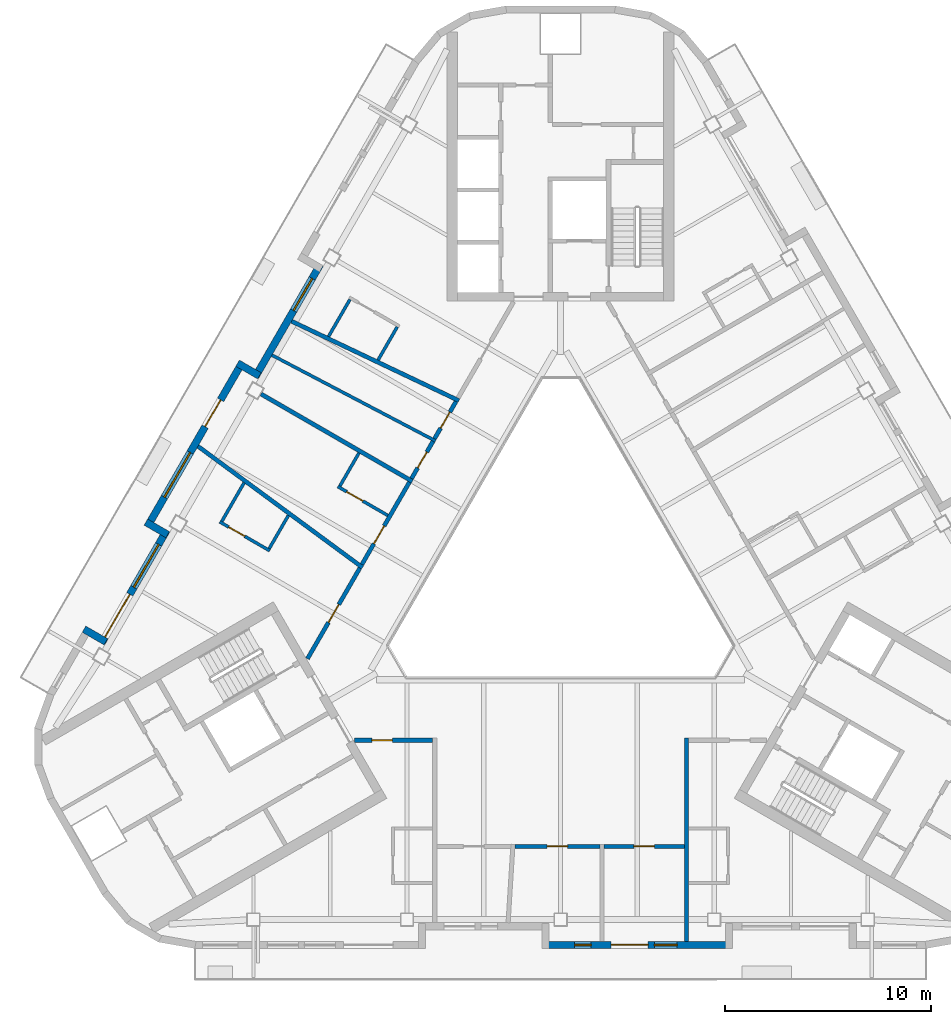
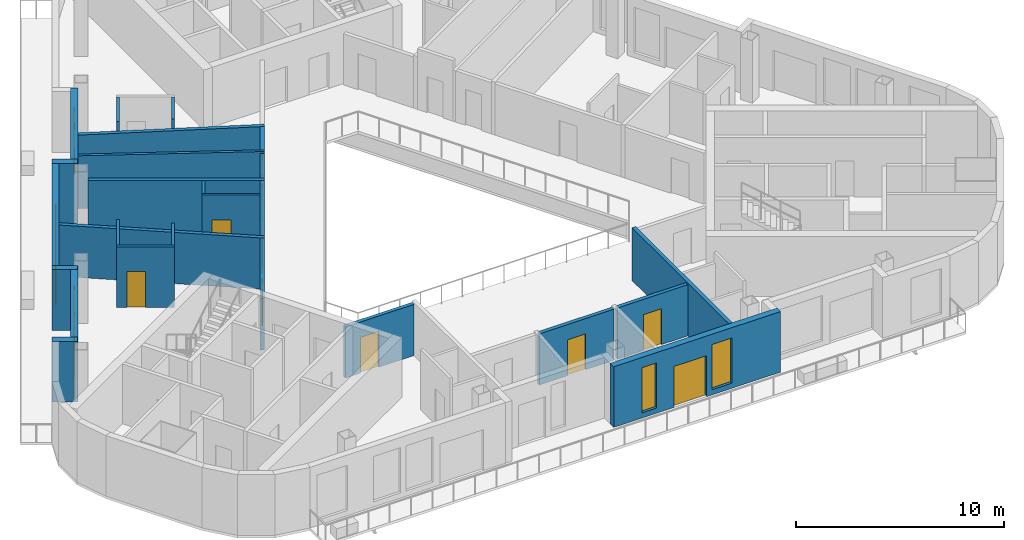
# One storey, part 4 of 13: 26 walls, 12 doors, 5 windows, 17 openings.
"""IFC4 building model written with IfcOpenShell, lengths in metres."""

import ifcopenshell
import ifcopenshell.guid

model = None  # the IFC model being written
_history = None  # IfcOwnerHistory: only IFC2X3 demands one
_inside = {}  # id of a spatial element -> (the spatial element, [elements in it])
_under = {}  # id of a project, library or spatial element -> (it, [spatial elements below it])
_declared = {}  # id of a project -> (the project, [libraries it declares])
_typed = {}  # id of a type object -> (the type object, [elements of that type])
_made_of = {}  # id of a material, layer set ... -> (it, [elements and type objects made of it])


def new_model(schema):
    """Start an empty IFC model of exactly this schema.

    Asked for "IFC4X3", IfcOpenShell would pick the latest addendum, in which some entities
    have other attributes; the version numbers below select the first issue.
    IFC2X3 requires an IfcOwnerHistory on every rooted entity: one is made here for all.
    """
    global model, _history
    if schema == "IFC4X3":
        model = ifcopenshell.file(schema_version=(4, 3, 0, 0))
    else:
        model = ifcopenshell.file(schema=schema)
    _inside.clear()
    _under.clear()
    _declared.clear()
    _typed.clear()
    _made_of.clear()
    _history = None
    if model.schema == "IFC2X3":
        org = make("IfcOrganization", Name="unknown")
        user = make(
            "IfcPersonAndOrganization",
            ThePerson=make("IfcPerson", FamilyName="unknown"),
            TheOrganization=org,
        )
        app = make(
            "IfcApplication",
            ApplicationDeveloper=org,
            Version="unknown",
            ApplicationFullName="unknown",
            ApplicationIdentifier="unknown",
        )
        _history = make(
            "IfcOwnerHistory",
            OwningUser=user,
            OwningApplication=app,
            ChangeAction="ADDED",
            CreationDate=0,
        )
    return model


def make(cls, **values):
    """One entity of the class cls with the attributes given. An attribute that is None is left unset."""
    return model.create_entity(
        cls, **{name: value for name, value in values.items() if value is not None}
    )


def rooted(cls, **values):
    """An entity with a GlobalId (a new one), such as an element, a storey or a relation."""
    return make(cls, GlobalId=ifcopenshell.guid.new(), OwnerHistory=_history, **values)


def si_unit(unit_type, name, prefix=None):
    """IfcSIUnit, for example si_unit("LENGTHUNIT", "METRE", prefix="MILLI")."""
    return make("IfcSIUnit", UnitType=unit_type, Prefix=prefix, Name=name)


def assignment(units):
    """IfcUnitAssignment: the units of a project."""
    return None if units is None else make("IfcUnitAssignment", Units=units)


def point(xyz):
    """IfcCartesianPoint."""
    return None if xyz is None else make("IfcCartesianPoint", Coordinates=xyz)


def direction(xyz):
    """IfcDirection."""
    return None if xyz is None else make("IfcDirection", DirectionRatios=xyz)


def frame(location, z_axis=None, x_axis=None):
    """IfcAxis2Placement3D, a coordinate frame: its origin and axes. An axis left out is left unset."""
    return make(
        "IfcAxis2Placement3D",
        Location=point(location),
        Axis=direction(z_axis),
        RefDirection=direction(x_axis),
    )


def frame_2d(location, x_axis=None):
    """IfcAxis2Placement2D, a coordinate frame in the plane: its origin and x axis."""
    return make(
        "IfcAxis2Placement2D", Location=point(location), RefDirection=direction(x_axis)
    )


def origin():
    """The frame at (0, 0, 0) with its axes left unset."""
    return frame((0.0, 0.0, 0.0))


def place(relative_to, where):
    """IfcLocalPlacement: puts the frame where relative to a parent placement (None: the world)."""
    return make(
        "IfcLocalPlacement", PlacementRelTo=relative_to, RelativePlacement=where
    )


def context(
    kind, dimensions, precision=None, world=None, true_north=None, identifier=None
):
    """IfcGeometricRepresentationContext, for example the 3D "Model" context."""
    return make(
        "IfcGeometricRepresentationContext",
        ContextIdentifier=identifier,
        ContextType=kind,
        CoordinateSpaceDimension=dimensions,
        Precision=precision,
        WorldCoordinateSystem=world,
        TrueNorth=true_north,
    )


def subcontext(parent, identifier, kind, view, scale=None):
    """IfcGeometricRepresentationSubContext, for example "Body" below "Model"."""
    return make(
        "IfcGeometricRepresentationSubContext",
        ContextIdentifier=identifier,
        ContextType=kind,
        ParentContext=parent,
        TargetScale=scale,
        TargetView=view,
    )


def project(units=None, contexts=None):
    """IfcProject with its units and contexts."""
    return rooted(
        "IfcProject",
        Name="project",
        RepresentationContexts=contexts,
        UnitsInContext=assignment(units),
    )


def spatial(cls, under=None, at=None, **own):
    """A site, building, storey or space (cls), placed at a placement, below another one or the project."""
    s = rooted(cls, ObjectPlacement=at, **own)
    if under is not None:
        _under.setdefault(under.id(), (under, []))[1].append(s)
    return s


def profile(cls, at=None, kind="AREA", **sizes):
    """A parametric profile (cls). Its sizes go by their IFC names, for example OverallWidth=200.0."""
    return make(cls, ProfileType=kind, Position=at, **sizes)


def rectangle(**sizes):
    """IfcRectangleProfileDef."""
    return profile("IfcRectangleProfileDef", **sizes)


def extrude(swept, where, along, depth):
    """IfcExtrudedAreaSolid: the profile swept, set in the frame where, extruded along a direction by depth."""
    return make(
        "IfcExtrudedAreaSolid",
        SweptArea=swept,
        Position=where,
        ExtrudedDirection=direction(along),
        Depth=depth,
    )


def shape(context_of_items, identifier, shape_type, items):
    """IfcShapeRepresentation: the items that make up one representation, for example the "Body"."""
    return make(
        "IfcShapeRepresentation",
        ContextOfItems=context_of_items,
        RepresentationIdentifier=identifier,
        RepresentationType=shape_type,
        Items=items,
    )


def material(Name=None, Category=None):
    """IfcMaterial."""
    return make("IfcMaterial", Name=Name, Category=Category)


def layer(
    of_material, thickness, ventilated=None, Name=None, Category=None, Priority=None
):
    """IfcMaterialLayer: one layer of a wall or slab, of a material (None: an air gap)."""
    return make(
        "IfcMaterialLayer",
        Material=of_material,
        LayerThickness=thickness,
        IsVentilated=ventilated,
        Name=Name,
        Category=Category,
        Priority=Priority,
    )


def layer_set(layers, Name=None):
    """IfcMaterialLayerSet."""
    return make("IfcMaterialLayerSet", MaterialLayers=layers, LayerSetName=Name)


def made_of(thing, what):
    """Note that an element or type object is made of a material, layer set ...; save() writes the relation."""
    if what is not None:
        _made_of.setdefault(what.id(), (what, []))[1].append(thing)
    return thing


def type_object(cls, material=None, **own):
    """A type object (cls), such as IfcWallType, which elements share."""
    return made_of(rooted(cls, **own), material)


def element(
    cls,
    number,
    at=None,
    inside=None,
    cuts=None,
    type_object=None,
    material=None,
    context=None,
    identifier="Body",
    shape_type=None,
    held_by="IfcProductDefinitionShape",
    body=None,
    shapes=None,
    **own,
):
    """One element of the class cls, such as IfcWall. Its Tag is "e" and its number.

    at: its placement. inside: the storey or other place that contains it. cuts: it is an
    opening in that element (IfcRelVoidsElement). A single representation is given by context,
    identifier, shape_type and body (its items); several are given by shapes. held_by: the class
    of the entity that holds the representations. save() writes the other relations.
    """
    e = rooted(cls, Tag="e%d" % number, ObjectPlacement=at, **own)
    if body is not None:
        shapes = [shape(context, identifier, shape_type, body)]
    if shapes is not None:
        e.Representation = make(held_by, Representations=shapes)
    if inside is not None:
        _inside.setdefault(inside.id(), (inside, []))[1].append(e)
    if cuts is not None:
        rooted(
            "IfcRelVoidsElement", RelatingBuildingElement=cuts, RelatedOpeningElement=e
        )
    if type_object is not None:
        _typed.setdefault(type_object.id(), (type_object, []))[1].append(e)
    return made_of(e, material)


def fill(opening, filler):
    """IfcRelFillsElement: the door or window that sits in an opening."""
    return rooted(
        "IfcRelFillsElement",
        RelatingOpeningElement=opening,
        RelatedBuildingElement=filler,
    )


def aggregate(whole, parts):
    """IfcRelAggregates: a whole, such as a stair, and the parts it consists of."""
    return rooted("IfcRelAggregates", RelatingObject=whole, RelatedObjects=parts)


def save(model, path):
    """Write the relations noted so far, then the file.

    IfcRelAggregates (storeys below a building ...), IfcRelContainedInSpatialStructure (elements
    in a storey), IfcRelDefinesByType, IfcRelAssociatesMaterial and IfcRelDeclares: one each for
    every whole, place, type object, material and project.
    """
    for whole, parts in _under.values():
        aggregate(whole, parts)
    for where, things in _inside.values():
        rooted(
            "IfcRelContainedInSpatialStructure",
            RelatedElements=things,
            RelatingStructure=where,
        )
    for kind, things in _typed.values():
        rooted("IfcRelDefinesByType", RelatedObjects=things, RelatingType=kind)
    for what, things in _made_of.values():
        rooted("IfcRelAssociatesMaterial", RelatedObjects=things, RelatingMaterial=what)
    for by, libraries in _declared.values():
        rooted("IfcRelDeclares", RelatingContext=by, RelatedDefinitions=libraries)
    model.write(path)


model = new_model("IFC4")

# Units and contexts
model_context = context("Model", 3, precision=1e-05, world=origin(), true_north=direction((0.0, 1.0)))
body_context = subcontext(model_context, "Body", "Model", "MODEL_VIEW")
ifc_project = project(units=[si_unit("LENGTHUNIT", "METRE"), si_unit("AREAUNIT", "SQUARE_METRE"), si_unit("VOLUMEUNIT", "CUBIC_METRE"), si_unit("PLANEANGLEUNIT", "RADIAN"), si_unit("MASSUNIT", "GRAM", prefix="KILO")], contexts=[model_context])

# Site, building, storey
site_placement = place(None, origin())
site = spatial("IfcSite", under=ifc_project, at=site_placement, CompositionType="ELEMENT")
building_placement = place(site_placement, origin())
building = spatial("IfcBuilding", under=site, at=building_placement, Name="Apuvela Tower Hotel", CompositionType="ELEMENT")
storey_placement = place(building_placement, frame((0.0, 0.0, 272.60009765625)))
storey = spatial("IfcBuildingStorey", under=building, at=storey_placement, Name="L67", CompositionType="ELEMENT", Elevation=272.60009765625)

# Wall, opening, window
ifc_material_1 = material(Name="Concrete C40/50, dark pigmented precast panel", Category="concrete")
ifc_layer_1 = layer(ifc_material_1, 0.35009765625)
ifc_layer_set_1 = layer_set([ifc_layer_1], Name="ENV-WALL-350")
wall_type_1 = type_object("IfcWallType", Name="ENV-WALL-350", PredefinedType="SOLIDWALL", material=ifc_layer_set_1)
wall_1_placement = place(storey_placement, frame((-11.655029296875, 14.654541015625, 0.0), z_axis=(0.0, 0.0, 1.0), x_axis=(-0.499995993298, -0.866027717042, 0.0)))
wall_1 = element("IfcWall", 1, at=wall_1_placement, inside=storey, type_object=wall_type_1, Name="External wall L67-03", PredefinedType="SOLIDWALL", context=body_context, shape_type="SweptSolid", body=[
    extrude(rectangle(XDim=6.28369140625, YDim=0.35009765625, at=frame_2d((3.141845703125, 0.0))), origin(), (0.0, 0.0, 1.0), 3.5498046875),
])
opening_1_placement = place(wall_1_placement, frame((0.77001953125, 0.0, 0.300048828125)))
opening_1 = element("IfcOpeningElement", 2, at=opening_1_placement, cuts=wall_1, Name="Opening WN18", PredefinedType="OPENING", context=body_context, shape_type="SweptSolid", body=[
    extrude(rectangle(XDim=1.800048828125, YDim=2.64990234375, at=frame_2d((0.89990234375, 1.324951171875))), frame((0.0, 0.18505859375, 0.0), z_axis=(0.0, -1.0, 0.0), x_axis=(1.0, 0.0, 0.0)), (0.0, 0.0, 1.0), 0.3701171875),
])
ifc_material_2 = material(Name="Glass, dark tinted laminated insulated glazing unit", Category="glass")
window_type_1 = type_object("IfcWindowType", Name="ENV-WIN-1800x2650", PartitioningType="SINGLE_PANEL", PredefinedType="WINDOW", material=ifc_material_2)
window_1_placement = place(opening_1_placement, origin())
window_1 = element("IfcWindow", 3, at=window_1_placement, inside=storey, type_object=window_type_1, Name="Window WN18", OverallHeight=2.64990234375, OverallWidth=1.800048828125, PartitioningType="SINGLE_PANEL", PredefinedType="WINDOW", context=body_context, shape_type="SweptSolid", body=[
    extrude(rectangle(XDim=1.800048828125, YDim=2.64990234375, at=frame_2d((0.89990234375, 1.324951171875))), frame((0.0, 0.030029296875, 0.0), z_axis=(0.0, -1.0, 0.0), x_axis=(1.0, 0.0, 0.0)), (0.0, 0.0, 1.0), 0.06005859375),
])
fill(opening_1, window_1)

# Wall
wall_2_placement = place(storey_placement, frame((-14.5986328125, 9.265625, 0.0), z_axis=(0.0, 0.0, 1.0), x_axis=(-0.866005645448, 0.500034220881, 0.0)))
element("IfcWall", 4, at=wall_2_placement, inside=storey, type_object=wall_type_1, Name="External wall L67-04", PredefinedType="SOLIDWALL", context=body_context, shape_type="SweptSolid", body=[
    extrude(rectangle(XDim=1.22021484375, YDim=0.35009765625, at=frame_2d((0.610107421875, 0.0))), origin(), (0.0, 0.0, 1.0), 3.5498046875),
])

# Wall, openings, door, window
wall_3_placement = place(storey_placement, frame((-15.416259765625, 9.939697265625, 0.0), z_axis=(0.0, 0.0, 1.0), x_axis=(-0.500005190411, -0.866022407078, 0.0)))
wall_3 = element("IfcWall", 5, at=wall_3_placement, inside=storey, type_object=wall_type_1, Name="External wall L67-05", PredefinedType="SOLIDWALL", context=body_context, shape_type="SweptSolid", body=[
    extrude(rectangle(XDim=9.24365234375, YDim=0.35009765625, at=frame_2d((4.621826171875, 0.0))), origin(), (0.0, 0.0, 1.0), 3.5498046875),
])
opening_2_placement = place(wall_3_placement, frame((2.12353515625, 0.0, 0.0)))
opening_2 = element("IfcOpeningElement", 6, at=opening_2_placement, cuts=wall_3, Name="Opening BD15", PredefinedType="OPENING", context=body_context, shape_type="SweptSolid", body=[
    extrude(rectangle(XDim=1.5, YDim=2.39990234375, at=frame_2d((0.75, 1.199951171875))), frame((0.0, 0.18505859375, 0.0), z_axis=(0.0, -1.0, 0.0), x_axis=(1.0, 0.0, 0.0)), (0.0, 0.0, 1.0), 0.3701171875),
])
opening_3_placement = place(wall_3_placement, frame((5.072265625, 0.0, 0.300048828125)))
opening_3 = element("IfcOpeningElement", 7, at=opening_3_placement, cuts=wall_3, Name="Opening WN25", PredefinedType="OPENING", context=body_context, shape_type="SweptSolid", body=[
    extrude(rectangle(XDim=2.5, YDim=2.64990234375, at=frame_2d((1.25, 1.324951171875))), frame((0.0, 0.18505859375, 0.0), z_axis=(0.0, -1.0, 0.0), x_axis=(1.0, 0.0, 0.0)), (0.0, 0.0, 1.0), 0.3701171875),
])
ifc_material_3 = material(Name="Aluminium 6063-T6, dark bronze anodised frame with dark tinted laminated glass", Category="aluminium")
door_type_1 = type_object("IfcDoorType", Name="ENV-DOOR-BALCONY-1500x2400", OperationType="SLIDING_TO_LEFT", PredefinedType="DOOR", material=ifc_material_3)
door_1_placement = place(opening_2_placement, frame((1.5, 0.0, 0.0), z_axis=(0.0, 0.0, 1.0), x_axis=(-1.0, 0.0, 0.0)))
door_1 = element("IfcDoor", 8, at=door_1_placement, inside=storey, type_object=door_type_1, Name="Balcony door BD15", OperationType="SLIDING_TO_LEFT", OverallHeight=2.39990234375, OverallWidth=1.5, PredefinedType="DOOR", context=body_context, shape_type="SweptSolid", body=[
    extrude(rectangle(XDim=1.5, YDim=2.39990234375, at=frame_2d((0.75, 1.199951171875))), frame((0.0, 0.02490234375, 0.0), z_axis=(0.0, -1.0, 0.0), x_axis=(1.0, 0.0, 0.0)), (0.0, 0.0, 1.0), 0.050048828125),
])
fill(opening_2, door_1)
window_type_2 = type_object("IfcWindowType", Name="ENV-WIN-2500x2650", PartitioningType="SINGLE_PANEL", PredefinedType="WINDOW", material=ifc_material_2)
window_2_placement = place(opening_3_placement, origin())
window_2 = element("IfcWindow", 9, at=window_2_placement, inside=storey, type_object=window_type_2, Name="Window WN25", OverallHeight=2.64990234375, OverallWidth=2.5, PartitioningType="SINGLE_PANEL", PredefinedType="WINDOW", context=body_context, shape_type="SweptSolid", body=[
    extrude(rectangle(XDim=2.5, YDim=2.64990234375, at=frame_2d((1.25, 1.324951171875))), frame((0.0, 0.030029296875, 0.0), z_axis=(0.0, -1.0, 0.0), x_axis=(1.0, 0.0, 0.0)), (0.0, 0.0, 1.0), 0.06005859375),
])
fill(opening_3, window_2)

# Wall
wall_4_placement = place(storey_placement, frame((-20.10205078125, 2.173583984375, 0.0), z_axis=(0.0, 0.0, 1.0), x_axis=(0.866092288191, -0.499884134912, 0.0)))
element("IfcWall", 10, at=wall_4_placement, inside=storey, type_object=wall_type_1, Name="External wall L67-06", PredefinedType="SOLIDWALL", context=body_context, shape_type="SweptSolid", body=[
    extrude(rectangle(XDim=1.219970703125, YDim=0.35009765625, at=frame_2d((0.60986328125, 0.0))), origin(), (0.0, 0.0, 1.0), 3.5498046875),
])

# Wall, openings, door, window
wall_5_placement = place(storey_placement, frame((-19.0986328125, 1.76171875, 0.0), z_axis=(0.0, 0.0, 1.0), x_axis=(-0.500012817413, -0.866018003521, 0.0)))
wall_5 = element("IfcWall", 11, at=wall_5_placement, inside=storey, type_object=wall_type_1, Name="External wall L67-07", PredefinedType="SOLIDWALL", context=body_context, shape_type="SweptSolid", body=[
    extrude(rectangle(XDim=6.283447265625, YDim=0.35009765625, at=frame_2d((3.1416015625, 0.0))), origin(), (0.0, 0.0, 1.0), 3.5498046875),
])
opening_4_placement = place(wall_5_placement, frame((3.56298828125, 0.0, 0.0)))
opening_4 = element("IfcOpeningElement", 12, at=opening_4_placement, cuts=wall_5, Name="Opening BD24", PredefinedType="OPENING", context=body_context, shape_type="SweptSolid", body=[
    extrude(rectangle(XDim=2.39990234375, YDim=2.39990234375, at=frame_2d((1.199951171875, 1.199951171875))), frame((0.0, 0.18505859375, 0.0), z_axis=(0.0, -1.0, 0.0), x_axis=(1.0, 0.0, 0.0)), (0.0, 0.0, 1.0), 0.3701171875),
])
opening_5_placement = place(wall_5_placement, frame((0.77001953125, 0.0, 0.300048828125)))
opening_5 = element("IfcOpeningElement", 13, at=opening_5_placement, cuts=wall_5, Name="Opening WN24", PredefinedType="OPENING", context=body_context, shape_type="SweptSolid", body=[
    extrude(rectangle(XDim=2.39990234375, YDim=2.64990234375, at=frame_2d((1.199951171875, 1.324951171875))), frame((0.0, 0.18505859375, 0.0), z_axis=(0.0, -1.0, 0.0), x_axis=(1.0, 0.0, 0.0)), (0.0, 0.0, 1.0), 0.3701171875),
])
door_type_2 = type_object("IfcDoorType", Name="ENV-DOOR-BALCONY-2400x2400", OperationType="SLIDING_TO_LEFT", PredefinedType="DOOR", material=ifc_material_3)
door_2_placement = place(opening_4_placement, frame((2.39990234375, 0.0, 0.0), z_axis=(0.0, 0.0, 1.0), x_axis=(-1.0, 0.0, 0.0)))
door_2 = element("IfcDoor", 14, at=door_2_placement, inside=storey, type_object=door_type_2, Name="Balcony door BD24", OperationType="SLIDING_TO_LEFT", OverallHeight=2.39990234375, OverallWidth=2.39990234375, PredefinedType="DOOR", context=body_context, shape_type="SweptSolid", body=[
    extrude(rectangle(XDim=2.39990234375, YDim=2.39990234375, at=frame_2d((1.199951171875, 1.199951171875))), frame((0.0, 0.02490234375, 0.0), z_axis=(0.0, -1.0, 0.0), x_axis=(1.0, 0.0, 0.0)), (0.0, 0.0, 1.0), 0.050048828125),
])
fill(opening_4, door_2)
window_type_3 = type_object("IfcWindowType", Name="ENV-WIN-2400x2650", PartitioningType="SINGLE_PANEL", PredefinedType="WINDOW", material=ifc_material_2)
window_3_placement = place(opening_5_placement, origin())
window_3 = element("IfcWindow", 15, at=window_3_placement, inside=storey, type_object=window_type_3, Name="Window WN24", OverallHeight=2.64990234375, OverallWidth=2.39990234375, PartitioningType="SINGLE_PANEL", PredefinedType="WINDOW", context=body_context, shape_type="SweptSolid", body=[
    extrude(rectangle(XDim=2.39990234375, YDim=2.64990234375, at=frame_2d((1.199951171875, 1.324951171875))), frame((0.0, 0.030029296875, 0.0), z_axis=(0.0, -1.0, 0.0), x_axis=(1.0, 0.0, 0.0)), (0.0, 0.0, 1.0), 0.06005859375),
])
fill(opening_5, window_3)

# Wall
wall_6_placement = place(storey_placement, frame((-22.042236328125, -3.626953125, 0.0), z_axis=(0.0, 0.0, 1.0), x_axis=(-0.866005645448, 0.500034220881, 0.0)))
element("IfcWall", 16, at=wall_6_placement, inside=storey, type_object=wall_type_1, Name="External wall L67-08", PredefinedType="SOLIDWALL", context=body_context, shape_type="SweptSolid", body=[
    extrude(rectangle(XDim=1.22021484375, YDim=0.35009765625, at=frame_2d((0.610107421875, 0.0))), origin(), (0.0, 0.0, 1.0), 3.5498046875),
])

# Wall, openings, door, windows
wall_7_placement = place(storey_placement, frame((-0.89990234375, -18.32080078125, 0.0), z_axis=(0.0, 0.0, 1.0), x_axis=(1.0, 0.0, 0.0)))
wall_7 = element("IfcWall", 17, at=wall_7_placement, inside=storey, type_object=wall_type_1, Name="External wall L67-21", PredefinedType="SOLIDWALL", context=body_context, shape_type="SweptSolid", body=[
    extrude(rectangle(XDim=9.243408203125, YDim=0.35009765625, at=frame_2d((4.62158203125, 0.0))), origin(), (0.0, 0.0, 1.0), 3.5498046875),
])
opening_6_placement = place(wall_7_placement, frame((1.5751953125, 0.0, 0.300048828125)))
opening_6 = element("IfcOpeningElement", 18, at=opening_6_placement, cuts=wall_7, Name="Opening WN08", PredefinedType="OPENING", context=body_context, shape_type="SweptSolid", body=[
    extrude(rectangle(XDim=0.800048828125, YDim=2.64990234375, at=frame_2d((0.39990234375, 1.324951171875))), frame((0.0, 0.18505859375, 0.0), z_axis=(0.0, -1.0, 0.0), x_axis=(1.0, 0.0, 0.0)), (0.0, 0.0, 1.0), 0.3701171875),
])
opening_7_placement = place(wall_7_placement, frame((3.349609375, 0.0, 0.0)))
opening_7 = element("IfcOpeningElement", 19, at=opening_7_placement, cuts=wall_7, Name="Opening BD18", PredefinedType="OPENING", context=body_context, shape_type="SweptSolid", body=[
    extrude(rectangle(XDim=1.800048828125, YDim=2.39990234375, at=frame_2d((0.89990234375, 1.199951171875))), frame((0.0, 0.18505859375, 0.0), z_axis=(0.0, -1.0, 0.0), x_axis=(1.0, 0.0, 0.0)), (0.0, 0.0, 1.0), 0.3701171875),
])
opening_8_placement = place(wall_7_placement, frame((5.44970703125, 0.0, 0.300048828125)))
opening_8 = element("IfcOpeningElement", 20, at=opening_8_placement, cuts=wall_7, Name="Opening WN11", PredefinedType="OPENING", context=body_context, shape_type="SweptSolid", body=[
    extrude(rectangle(XDim=1.10009765625, YDim=2.64990234375, at=frame_2d((0.550048828125, 1.324951171875))), frame((0.0, 0.18505859375, 0.0), z_axis=(0.0, -1.0, 0.0), x_axis=(1.0, 0.0, 0.0)), (0.0, 0.0, 1.0), 0.3701171875),
])
door_type_3 = type_object("IfcDoorType", Name="ENV-DOOR-BALCONY-1800x2400", OperationType="SLIDING_TO_LEFT", PredefinedType="DOOR", material=ifc_material_3)
door_3_placement = place(opening_7_placement, frame((1.800048828125, 0.0, 0.0), z_axis=(0.0, 0.0, 1.0), x_axis=(-1.0, 0.0, 0.0)))
door_3 = element("IfcDoor", 21, at=door_3_placement, inside=storey, type_object=door_type_3, Name="Balcony door BD18", OperationType="SLIDING_TO_LEFT", OverallHeight=2.39990234375, OverallWidth=1.800048828125, PredefinedType="DOOR", context=body_context, shape_type="SweptSolid", body=[
    extrude(rectangle(XDim=1.800048828125, YDim=2.39990234375, at=frame_2d((0.89990234375, 1.199951171875))), frame((0.0, 0.02490234375, 0.0), z_axis=(0.0, -1.0, 0.0), x_axis=(1.0, 0.0, 0.0)), (0.0, 0.0, 1.0), 0.050048828125),
])
fill(opening_7, door_3)
window_type_4 = type_object("IfcWindowType", Name="ENV-WIN-1100x2650", PartitioningType="SINGLE_PANEL", PredefinedType="WINDOW", material=ifc_material_2)
window_4_placement = place(opening_8_placement, origin())
window_4 = element("IfcWindow", 22, at=window_4_placement, inside=storey, type_object=window_type_4, Name="Window WN11", OverallHeight=2.64990234375, OverallWidth=1.10009765625, PartitioningType="SINGLE_PANEL", PredefinedType="WINDOW", context=body_context, shape_type="SweptSolid", body=[
    extrude(rectangle(XDim=1.10009765625, YDim=2.64990234375, at=frame_2d((0.550048828125, 1.324951171875))), frame((0.0, 0.030029296875, 0.0), z_axis=(0.0, -1.0, 0.0), x_axis=(1.0, 0.0, 0.0)), (0.0, 0.0, 1.0), 0.06005859375),
])
fill(opening_8, window_4)
window_type_5 = type_object("IfcWindowType", Name="ENV-WIN-800x2650", PartitioningType="SINGLE_PANEL", PredefinedType="WINDOW", material=ifc_material_2)
window_5_placement = place(opening_6_placement, origin())
window_5 = element("IfcWindow", 23, at=window_5_placement, inside=storey, type_object=window_type_5, Name="Window WN08", OverallHeight=2.64990234375, OverallWidth=0.800048828125, PartitioningType="SINGLE_PANEL", PredefinedType="WINDOW", context=body_context, shape_type="SweptSolid", body=[
    extrude(rectangle(XDim=0.800048828125, YDim=2.64990234375, at=frame_2d((0.39990234375, 1.324951171875))), frame((0.0, 0.030029296875, 0.0), z_axis=(0.0, -1.0, 0.0), x_axis=(1.0, 0.0, 0.0)), (0.0, 0.0, 1.0), 0.06005859375),
])
fill(opening_6, window_5)

# Walls
ifc_material_4 = material(Name="Gypsum board partition on twin steel stud", Category="steel")
ifc_layer_2 = layer(ifc_material_4, 0.199951171875)
ifc_layer_set_2 = layer_set([ifc_layer_2], Name="GST-PW1")
wall_type_2 = type_object("IfcWallType", Name="GST-PW1", PredefinedType="PARTITIONING", material=ifc_layer_set_2)
wall_8_placement = place(storey_placement, frame((6.10009765625, -18.145751953125, 0.0), z_axis=(0.0, 0.0, 1.0), x_axis=(0.0, 1.0, 0.0)))
element("IfcWall", 24, at=wall_8_placement, inside=storey, type_object=wall_type_2, Name="L67 partition 04", PredefinedType="PARTITIONING", context=body_context, shape_type="SweptSolid", body=[
    extrude(rectangle(XDim=9.845703125, YDim=0.199951171875, at=frame_2d((4.9228515625, 0.0))), origin(), (0.0, 0.0, 1.0), 3.099853515625),
])
wall_9_placement = place(storey_placement, frame((-13.0380859375, 11.908935546875, 0.0), z_axis=(0.0, 0.0, 1.0), x_axis=(0.903427417518, -0.428741065536, 0.0)))
element("IfcWall", 25, at=wall_9_placement, inside=storey, type_object=wall_type_2, Name="L67 partition 08", PredefinedType="PARTITIONING", context=body_context, shape_type="SweptSolid", body=[
    extrude(rectangle(XDim=8.974853515625, YDim=0.199951171875, at=frame_2d((4.4873046875, 0.0))), origin(), (0.0, 0.0, 1.0), 3.0),
])
wall_10_placement = place(storey_placement, frame((-14.52392578125, 8.385498046875, 0.0), z_axis=(0.0, 0.0, 1.0), x_axis=(0.866015680395, -0.500016841027, 0.0)))
element("IfcWall", 26, at=wall_10_placement, inside=storey, type_object=wall_type_2, Name="L67 partition 09", PredefinedType="PARTITIONING", context=body_context, shape_type="SweptSolid", body=[
    extrude(rectangle(XDim=8.470947265625, YDim=0.199951171875, at=frame_2d((4.2353515625, 0.0))), origin(), (0.0, 0.0, 1.0), 3.0),
])
wall_11_placement = place(storey_placement, frame((-17.57568359375, 5.849609375, 0.0), z_axis=(0.0, 0.0, 1.0), x_axis=(0.805127680306, -0.593101524535, 0.0)))
element("IfcWall", 27, at=wall_11_placement, inside=storey, type_object=wall_type_2, Name="L67 partition 10", PredefinedType="PARTITIONING", context=body_context, shape_type="SweptSolid", body=[
    extrude(rectangle(XDim=9.9072265625, YDim=0.199951171875, at=frame_2d((4.95361328125, 0.0))), origin(), (0.0, 0.0, 1.0), 3.0),
])

# Wall, opening, door
ifc_material_5 = material(Name="Gypsum board corridor wall on twin steel stud, acoustic", Category="steel")
ifc_layer_3 = layer(ifc_material_5, 0.199951171875)
ifc_layer_set_3 = layer_set([ifc_layer_3], Name="GST-PW2")
wall_type_3 = type_object("IfcWallType", Name="GST-PW2", PredefinedType="PARTITIONING", material=ifc_layer_set_3)
wall_12_placement = place(storey_placement, frame((-6.199951171875, -8.39990234375, 0.0), z_axis=(0.0, 0.0, 1.0), x_axis=(-1.0, 0.0, 0.0)))
wall_12 = element("IfcWall", 28, at=wall_12_placement, inside=storey, type_object=wall_type_3, Name="L67 partition 11", PredefinedType="PARTITIONING", context=body_context, shape_type="SweptSolid", body=[
    extrude(rectangle(XDim=3.788330078125, YDim=0.199951171875, at=frame_2d((1.89404296875, 0.0))), origin(), (0.0, 0.0, 1.0), 3.0),
])
opening_9_placement = place(wall_12_placement, frame((1.949951171875, 0.0, 0.0)))
opening_9 = element("IfcOpeningElement", 29, at=opening_9_placement, cuts=wall_12, Name="Opening GD26-02", PredefinedType="OPENING", context=body_context, shape_type="SweptSolid", body=[
    extrude(rectangle(XDim=1.0, YDim=2.10009765625, at=frame_2d((0.5, 1.050048828125))), frame((0.0, 0.10986328125, 0.0), z_axis=(0.0, -1.0, 0.0), x_axis=(1.0, 0.0, 0.0)), (0.0, 0.0, 1.0), 0.219970703125),
])
ifc_material_6 = material(Name="Timber door leaf in steel frame", Category="steel")
door_type_4 = type_object("IfcDoorType", Name="GST-D1", OperationType="NOTDEFINED", PredefinedType="DOOR", material=ifc_material_6)
door_4_placement = place(opening_9_placement, origin())
door_4 = element("IfcDoor", 30, at=door_4_placement, inside=storey, type_object=door_type_4, Name="Door L67-02", OperationType="SINGLE_SWING_LEFT", OverallHeight=2.10009765625, OverallWidth=1.0, PredefinedType="DOOR", context=body_context, shape_type="SweptSolid", body=[
    extrude(rectangle(XDim=1.0, YDim=2.10009765625, at=frame_2d((0.5, 1.050048828125))), frame((0.0, 0.02490234375, 0.0), z_axis=(0.0, -1.0, 0.0), x_axis=(1.0, 0.0, 0.0)), (0.0, 0.0, 1.0), 0.050048828125),
])
fill(opening_9, door_4)

wall_13_placement = place(storey_placement, frame((1.89990234375, -13.5458984375, 0.0), z_axis=(0.0, 0.0, 1.0), x_axis=(-1.0, 0.0, 0.0)))
wall_13 = element("IfcWall", 31, at=wall_13_placement, inside=storey, type_object=wall_type_3, Name="L67 partition 16", PredefinedType="PARTITIONING", context=body_context, shape_type="SweptSolid", body=[
    extrude(rectangle(XDim=4.113525390625, YDim=0.199951171875, at=frame_2d((2.056640625, 0.0))), origin(), (0.0, 0.0, 1.0), 3.0),
])
opening_10_placement = place(wall_13_placement, frame((1.556884765625, 0.0, 0.0)))
opening_10 = element("IfcOpeningElement", 32, at=opening_10_placement, cuts=wall_13, Name="Opening GD26-04", PredefinedType="OPENING", context=body_context, shape_type="SweptSolid", body=[
    extrude(rectangle(XDim=1.0, YDim=2.10009765625, at=frame_2d((0.5, 1.050048828125))), frame((0.0, 0.10986328125, 0.0), z_axis=(0.0, -1.0, 0.0), x_axis=(1.0, 0.0, 0.0)), (0.0, 0.0, 1.0), 0.219970703125),
])
door_5_placement = place(opening_10_placement, origin())
door_5 = element("IfcDoor", 33, at=door_5_placement, inside=storey, type_object=door_type_4, Name="Door L67-04", OperationType="SINGLE_SWING_LEFT", OverallHeight=2.10009765625, OverallWidth=1.0, PredefinedType="DOOR", context=body_context, shape_type="SweptSolid", body=[
    extrude(rectangle(XDim=1.0, YDim=2.10009765625, at=frame_2d((0.5, 1.050048828125))), frame((0.0, 0.02490234375, 0.0), z_axis=(0.0, -1.0, 0.0), x_axis=(1.0, 0.0, 0.0)), (0.0, 0.0, 1.0), 0.050048828125),
])
fill(opening_10, door_5)

wall_14_placement = place(storey_placement, frame((6.0, -13.5458984375, 0.0), z_axis=(0.0, 0.0, 1.0), x_axis=(-1.0, 0.0, 0.0)))
wall_14 = element("IfcWall", 34, at=wall_14_placement, inside=storey, type_object=wall_type_3, Name="L67 partition 17", PredefinedType="PARTITIONING", context=body_context, shape_type="SweptSolid", body=[
    extrude(rectangle(XDim=3.89990234375, YDim=0.199951171875, at=frame_2d((1.949951171875, 0.0))), origin(), (0.0, 0.0, 1.0), 3.0),
])
opening_11_placement = place(wall_14_placement, frame((1.449951171875, 0.0, 0.0)))
opening_11 = element("IfcOpeningElement", 35, at=opening_11_placement, cuts=wall_14, Name="Opening GD26-05", PredefinedType="OPENING", context=body_context, shape_type="SweptSolid", body=[
    extrude(rectangle(XDim=1.0, YDim=2.10009765625, at=frame_2d((0.5, 1.050048828125))), frame((0.0, 0.10986328125, 0.0), z_axis=(0.0, -1.0, 0.0), x_axis=(1.0, 0.0, 0.0)), (0.0, 0.0, 1.0), 0.219970703125),
])
door_6_placement = place(opening_11_placement, origin())
door_6 = element("IfcDoor", 36, at=door_6_placement, inside=storey, type_object=door_type_4, Name="Door L67-05", OperationType="SINGLE_SWING_LEFT", OverallHeight=2.10009765625, OverallWidth=1.0, PredefinedType="DOOR", context=body_context, shape_type="SweptSolid", body=[
    extrude(rectangle(XDim=1.0, YDim=2.10009765625, at=frame_2d((0.5, 1.050048828125))), frame((0.0, 0.02490234375, 0.0), z_axis=(0.0, -1.0, 0.0), x_axis=(1.0, 0.0, 0.0)), (0.0, 0.0, 1.0), 0.050048828125),
])
fill(opening_11, door_6)

wall_15_placement = place(storey_placement, frame((-6.110107421875, 6.217041015625, 0.0), z_axis=(0.0, 0.0, 1.0), x_axis=(0.500017307165, 0.866015411258, 0.0)))
wall_15 = element("IfcWall", 37, at=wall_15_placement, inside=storey, type_object=wall_type_3, Name="L67 partition 41", PredefinedType="PARTITIONING", context=body_context, shape_type="SweptSolid", body=[
    extrude(rectangle(XDim=2.07861328125, YDim=0.199951171875, at=frame_2d((1.039306640625, 0.0))), origin(), (0.0, 0.0, 1.0), 3.0),
])
opening_12_placement = place(wall_15_placement, frame((0.58935546875, 0.0, 0.0)))
opening_12 = element("IfcOpeningElement", 38, at=opening_12_placement, cuts=wall_15, Name="Opening GD26-18", PredefinedType="OPENING", context=body_context, shape_type="SweptSolid", body=[
    extrude(rectangle(XDim=0.89990234375, YDim=2.10009765625, at=frame_2d((0.449951171875, 1.050048828125))), frame((0.0, 0.10986328125, 0.0), z_axis=(0.0, -1.0, 0.0), x_axis=(1.0, 0.0, 0.0)), (0.0, 0.0, 1.0), 0.219970703125),
])
door_type_5 = type_object("IfcDoorType", Name="GST-D2", OperationType="NOTDEFINED", PredefinedType="DOOR", material=ifc_material_6)
door_7_placement = place(opening_12_placement, origin())
door_7 = element("IfcDoor", 39, at=door_7_placement, inside=storey, type_object=door_type_5, Name="Door L67-18", OperationType="SINGLE_SWING_LEFT", OverallHeight=2.10009765625, OverallWidth=0.89990234375, PredefinedType="DOOR", context=body_context, shape_type="SweptSolid", body=[
    extrude(rectangle(XDim=0.89990234375, YDim=2.10009765625, at=frame_2d((0.449951171875, 1.050048828125))), frame((0.0, 0.02490234375, 0.0), z_axis=(0.0, -1.0, 0.0), x_axis=(1.0, 0.0, 0.0)), (0.0, 0.0, 1.0), 0.050048828125),
])
fill(opening_12, door_7)

wall_16_placement = place(storey_placement, frame((-7.224609375, 4.28662109375, 0.0), z_axis=(0.0, 0.0, 1.0), x_axis=(0.500003678222, 0.866023280152, 0.0)))
wall_16 = element("IfcWall", 40, at=wall_16_placement, inside=storey, type_object=wall_type_3, Name="L67 partition 42", PredefinedType="PARTITIONING", context=body_context, shape_type="SweptSolid", body=[
    extrude(rectangle(XDim=2.0791015625, YDim=0.199951171875, at=frame_2d((1.03955078125, 0.0))), origin(), (0.0, 0.0, 1.0), 3.0),
])
opening_13_placement = place(wall_16_placement, frame((0.589599609375, 0.0, 0.0)))
opening_13 = element("IfcOpeningElement", 41, at=opening_13_placement, cuts=wall_16, Name="Opening GD26-19", PredefinedType="OPENING", context=body_context, shape_type="SweptSolid", body=[
    extrude(rectangle(XDim=0.89990234375, YDim=2.10009765625, at=frame_2d((0.449951171875, 1.050048828125))), frame((0.0, 0.10986328125, 0.0), z_axis=(0.0, -1.0, 0.0), x_axis=(1.0, 0.0, 0.0)), (0.0, 0.0, 1.0), 0.219970703125),
])
door_8_placement = place(opening_13_placement, origin())
door_8 = element("IfcDoor", 42, at=door_8_placement, inside=storey, type_object=door_type_5, Name="Door L67-19", OperationType="SINGLE_SWING_RIGHT", OverallHeight=2.10009765625, OverallWidth=0.89990234375, PredefinedType="DOOR", context=body_context, shape_type="SweptSolid", body=[
    extrude(rectangle(XDim=0.89990234375, YDim=2.10009765625, at=frame_2d((0.449951171875, 1.050048828125))), frame((0.0, 0.02490234375, 0.0), z_axis=(0.0, -1.0, 0.0), x_axis=(1.0, 0.0, 0.0)), (0.0, 0.0, 1.0), 0.050048828125),
])
fill(opening_13, door_8)

wall_17_placement = place(storey_placement, frame((-9.6298828125, 0.12060546875, 0.0), z_axis=(0.0, 0.0, 1.0), x_axis=(0.500000544019, 0.866025089694, 0.0)))
wall_17 = element("IfcWall", 43, at=wall_17_placement, inside=storey, type_object=wall_type_3, Name="L67 partition 43", PredefinedType="PARTITIONING", context=body_context, shape_type="SweptSolid", body=[
    extrude(rectangle(XDim=4.6103515625, YDim=0.199951171875, at=frame_2d((2.30517578125, 0.0))), origin(), (0.0, 0.0, 1.0), 3.0),
])
opening_14_placement = place(wall_17_placement, frame((1.16064453125, 0.0, 0.0)))
opening_14 = element("IfcOpeningElement", 44, at=opening_14_placement, cuts=wall_17, Name="Opening GD26-21", PredefinedType="OPENING", context=body_context, shape_type="SweptSolid", body=[
    extrude(rectangle(XDim=1.0, YDim=2.10009765625, at=frame_2d((0.5, 1.050048828125))), frame((0.0, 0.10986328125, 0.0), z_axis=(0.0, -1.0, 0.0), x_axis=(1.0, 0.0, 0.0)), (0.0, 0.0, 1.0), 0.219970703125),
])
door_9_placement = place(opening_14_placement, origin())
door_9 = element("IfcDoor", 45, at=door_9_placement, inside=storey, type_object=door_type_4, Name="Door L67-21", OperationType="SINGLE_SWING_LEFT", OverallHeight=2.10009765625, OverallWidth=1.0, PredefinedType="DOOR", context=body_context, shape_type="SweptSolid", body=[
    extrude(rectangle(XDim=1.0, YDim=2.10009765625, at=frame_2d((0.5, 1.050048828125))), frame((0.0, 0.02490234375, 0.0), z_axis=(0.0, -1.0, 0.0), x_axis=(1.0, 0.0, 0.0)), (0.0, 0.0, 1.0), 0.050048828125),
])
fill(opening_14, door_9)

wall_18_placement = place(storey_placement, frame((-12.268798828125, -4.449951171875, 0.0), z_axis=(0.0, 0.0, 1.0), x_axis=(0.500023578739, 0.866011790165, 0.0)))
wall_18 = element("IfcWall", 46, at=wall_18_placement, inside=storey, type_object=wall_type_3, Name="L67 partition 46", PredefinedType="PARTITIONING", context=body_context, shape_type="SweptSolid", body=[
    extrude(rectangle(XDim=5.076416015625, YDim=0.199951171875, at=frame_2d((2.5380859375, 0.0))), origin(), (0.0, 0.0, 1.0), 3.0),
])
opening_15_placement = place(wall_18_placement, frame((2.0380859375, 0.0, 0.0)))
opening_15 = element("IfcOpeningElement", 47, at=opening_15_placement, cuts=wall_18, Name="Opening GD26-23", PredefinedType="OPENING", context=body_context, shape_type="SweptSolid", body=[
    extrude(rectangle(XDim=1.0, YDim=2.10009765625, at=frame_2d((0.5, 1.050048828125))), frame((0.0, 0.10986328125, 0.0), z_axis=(0.0, -1.0, 0.0), x_axis=(1.0, 0.0, 0.0)), (0.0, 0.0, 1.0), 0.219970703125),
])
door_10_placement = place(opening_15_placement, origin())
door_10 = element("IfcDoor", 48, at=door_10_placement, inside=storey, type_object=door_type_4, Name="Door L67-23", OperationType="SINGLE_SWING_RIGHT", OverallHeight=2.10009765625, OverallWidth=1.0, PredefinedType="DOOR", context=body_context, shape_type="SweptSolid", body=[
    extrude(rectangle(XDim=1.0, YDim=2.10009765625, at=frame_2d((0.5, 1.050048828125))), frame((0.0, 0.02490234375, 0.0), z_axis=(0.0, -1.0, 0.0), x_axis=(1.0, 0.0, 0.0)), (0.0, 0.0, 1.0), 0.050048828125),
])
fill(opening_15, door_10)

# Walls
ifc_material_7 = material(Name="Moisture-resistant gypsum board wet wall on steel stud", Category="steel")
ifc_layer_4 = layer(ifc_material_7, 0.14990234375)
ifc_layer_set_4 = layer_set([ifc_layer_4], Name="GST-PW3")
wall_type_4 = type_object("IfcWallType", Name="GST-PW3", PredefinedType="PARTITIONING", material=ifc_layer_set_4)
wall_19_placement = place(storey_placement, frame((-10.212158203125, 12.962158203125, 0.0), z_axis=(0.0, 0.0, 1.0), x_axis=(-0.500008344384, -0.866020586098, 0.0)))
element("IfcWall", 49, at=wall_19_placement, inside=storey, type_object=wall_type_4, Name="L67 partition 38", PredefinedType="PARTITIONING", context=body_context, shape_type="SweptSolid", body=[
    extrude(rectangle(XDim=2.06982421875, YDim=0.14990234375, at=frame_2d((1.034912109375, 0.0))), origin(), (0.0, 0.0, 1.0), 3.5498046875),
])
wall_20_placement = place(storey_placement, frame((-7.9169921875, 11.63720703125, 0.0), z_axis=(0.0, 0.0, 1.0), x_axis=(-0.500071598593, -0.865984062371, 0.0)))
element("IfcWall", 50, at=wall_20_placement, inside=storey, type_object=wall_type_4, Name="L67 partition 39", PredefinedType="PARTITIONING", context=body_context, shape_type="SweptSolid", body=[
    extrude(rectangle(XDim=1.856201171875, YDim=0.14990234375, at=frame_2d((0.92822265625, 0.0))), origin(), (0.0, 0.0, 1.0), 3.5498046875),
])
wall_21_placement = place(storey_placement, frame((-13.98681640625, 10.265869140625, 0.0), z_axis=(0.0, 0.0, 1.0), x_axis=(0.885474206285, -0.464688530097, 0.0)))
element("IfcWall", 51, at=wall_21_placement, inside=storey, type_object=wall_type_4, Name="L67 partition 40", PredefinedType="PARTITIONING", context=body_context, shape_type="SweptSolid", body=[
    extrude(rectangle(XDim=8.953125, YDim=0.14990234375, at=frame_2d((4.4765625, 0.0))), origin(), (0.0, 0.0, 1.0), 3.099853515625),
])

# Wall, opening, door
wall_22_placement = place(storey_placement, frame((-10.798583984375, 3.896240234375, 0.0), z_axis=(0.0, 0.0, 1.0), x_axis=(0.866034573852, -0.49998411664, 0.0)))
wall_22 = element("IfcWall", 52, at=wall_22_placement, inside=storey, type_object=wall_type_4, Name="L67 partition 44", PredefinedType="PARTITIONING", context=body_context, shape_type="SweptSolid", body=[
    extrude(rectangle(XDim=2.7998046875, YDim=0.14990234375, at=frame_2d((1.39990234375, 0.0))), origin(), (0.0, 0.0, 1.0), 3.5498046875),
])
opening_16_placement = place(wall_22_placement, frame((0.5, 0.0, 0.0)))
opening_16 = element("IfcOpeningElement", 53, at=opening_16_placement, cuts=wall_22, Name="Opening GD26-20", PredefinedType="OPENING", context=body_context, shape_type="SweptSolid", body=[
    extrude(rectangle(XDim=0.89990234375, YDim=2.10009765625, at=frame_2d((0.449951171875, 1.050048828125))), frame((0.0, 0.0849609375, 0.0), z_axis=(0.0, -1.0, 0.0), x_axis=(1.0, 0.0, 0.0)), (0.0, 0.0, 1.0), 0.169921875),
])
door_11_placement = place(opening_16_placement, origin())
door_11 = element("IfcDoor", 54, at=door_11_placement, inside=storey, type_object=door_type_5, Name="Door L67-20", OperationType="SINGLE_SWING_LEFT", OverallHeight=2.10009765625, OverallWidth=0.89990234375, PredefinedType="DOOR", context=body_context, shape_type="SweptSolid", body=[
    extrude(rectangle(XDim=0.89990234375, YDim=2.10009765625, at=frame_2d((0.449951171875, 1.050048828125))), frame((0.0, 0.02490234375, 0.0), z_axis=(0.0, -1.0, 0.0), x_axis=(1.0, 0.0, 0.0)), (0.0, 0.0, 1.0), 0.050048828125),
])
fill(opening_16, door_11)

# Wall
wall_23_placement = place(storey_placement, frame((-9.77099609375, 5.52587890625, 0.0), z_axis=(0.0, 0.0, 1.0), x_axis=(-0.500042316284, -0.866000971088, 0.0)))
element("IfcWall", 55, at=wall_23_placement, inside=storey, type_object=wall_type_4, Name="L67 partition 45", PredefinedType="PARTITIONING", context=body_context, shape_type="SweptSolid", body=[
    extrude(rectangle(XDim=1.849853515625, YDim=0.14990234375, at=frame_2d((0.9248046875, 0.0))), origin(), (0.0, 0.0, 1.0), 3.0),
])

# Wall, opening, door
wall_24_placement = place(storey_placement, frame((-16.5205078125, 2.185791015625, 0.0), z_axis=(0.0, 0.0, 1.0), x_axis=(0.865996816683, -0.500049511043, 0.0)))
wall_24 = element("IfcWall", 56, at=wall_24_placement, inside=storey, type_object=wall_type_4, Name="L67 partition 47", PredefinedType="PARTITIONING", context=body_context, shape_type="SweptSolid", body=[
    extrude(rectangle(XDim=2.800048828125, YDim=0.14990234375, at=frame_2d((1.39990234375, 0.0))), origin(), (0.0, 0.0, 1.0), 3.5498046875),
])
opening_17_placement = place(wall_24_placement, frame((0.5, 0.0, 0.0)))
opening_17 = element("IfcOpeningElement", 57, at=opening_17_placement, cuts=wall_24, Name="Opening GD26-22", PredefinedType="OPENING", context=body_context, shape_type="SweptSolid", body=[
    extrude(rectangle(XDim=0.89990234375, YDim=2.10009765625, at=frame_2d((0.449951171875, 1.050048828125))), frame((0.0, 0.0849609375, 0.0), z_axis=(0.0, -1.0, 0.0), x_axis=(1.0, 0.0, 0.0)), (0.0, 0.0, 1.0), 0.169921875),
])
door_12_placement = place(opening_17_placement, origin())
door_12 = element("IfcDoor", 58, at=door_12_placement, inside=storey, type_object=door_type_5, Name="Door L67-22", OperationType="SINGLE_SWING_LEFT", OverallHeight=2.10009765625, OverallWidth=0.89990234375, PredefinedType="DOOR", context=body_context, shape_type="SweptSolid", body=[
    extrude(rectangle(XDim=0.89990234375, YDim=2.10009765625, at=frame_2d((0.449951171875, 1.050048828125))), frame((0.0, 0.02490234375, 0.0), z_axis=(0.0, -1.0, 0.0), x_axis=(1.0, 0.0, 0.0)), (0.0, 0.0, 1.0), 0.050048828125),
])
fill(opening_17, door_12)

# Walls
wall_25_placement = place(storey_placement, frame((-15.3408203125, 4.0791015625, 0.0), z_axis=(0.0, 0.0, 1.0), x_axis=(-0.499941519689, -0.866059164775, 0.0)))
element("IfcWall", 59, at=wall_25_placement, inside=storey, type_object=wall_type_4, Name="L67 partition 48", PredefinedType="PARTITIONING", context=body_context, shape_type="SweptSolid", body=[
    extrude(rectangle(XDim=2.154541015625, YDim=0.14990234375, at=frame_2d((1.0771484375, 0.0))), origin(), (0.0, 0.0, 1.0), 3.5498046875),
])
wall_26_placement = place(storey_placement, frame((-13.19384765625, 2.49755859375, 0.0), z_axis=(0.0, 0.0, 1.0), x_axis=(-0.500010545262, -0.866019315389, 0.0)))
element("IfcWall", 60, at=wall_26_placement, inside=storey, type_object=wall_type_4, Name="L67 partition 49", PredefinedType="PARTITIONING", context=body_context, shape_type="SweptSolid", body=[
    extrude(rectangle(XDim=1.8583984375, YDim=0.14990234375, at=frame_2d((0.92919921875, 0.0))), origin(), (0.0, 0.0, 1.0), 3.5498046875),
])

save(model, "model.ifc")
